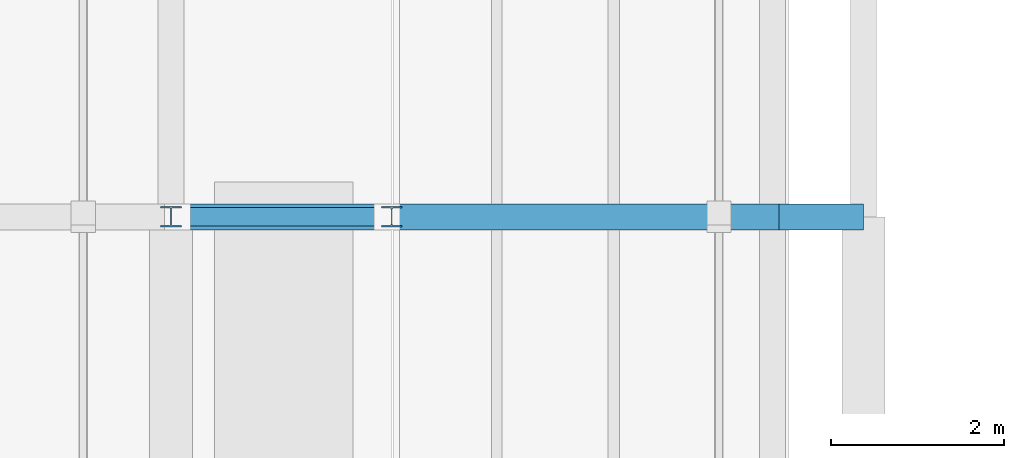
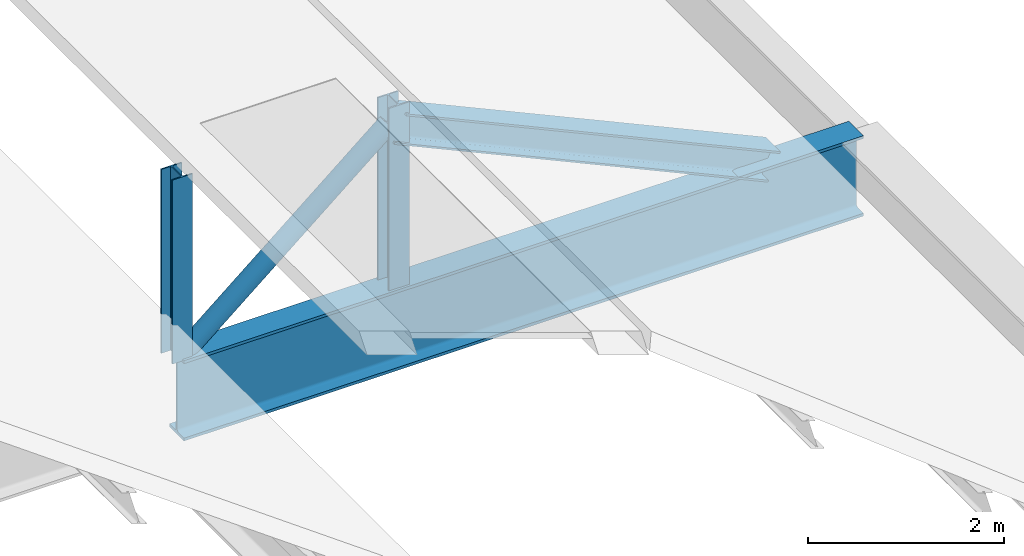
# One storey, part 7 of 14: 4 members, 1 beam.
"""IFC4 building model written with IfcOpenShell, lengths in metres."""

from ifc_helpers import new_model, si_unit, direction, frame, origin, origin_2d, place, context, subcontext, project, spatial, hollow_circle, i_section, extrude, material, material_profile, profile_set, type_object, element, save


model = new_model("IFC4")

# Units and contexts
model_context = context("Model", 3, precision=1e-05, world=origin(), true_north=direction((0.0, 1.0)))
body_context = subcontext(model_context, "Body", "Model", "MODEL_VIEW")
ifc_project = project(units=[si_unit("LENGTHUNIT", "METRE"), si_unit("AREAUNIT", "SQUARE_METRE"), si_unit("VOLUMEUNIT", "CUBIC_METRE"), si_unit("PLANEANGLEUNIT", "RADIAN"), si_unit("MASSUNIT", "GRAM", prefix="KILO")], contexts=[model_context])

# Site, building, storey
site_placement = place(None, origin())
site = spatial("IfcSite", under=ifc_project, at=site_placement, CompositionType="ELEMENT")
building_placement = place(site_placement, origin())
building = spatial("IfcBuilding", under=site, at=building_placement, Name="Vekula Escarpment Museum", CompositionType="ELEMENT")
storey_placement = place(building_placement, frame((0.0, 0.0, 30.60009765625)))
storey = spatial("IfcBuildingStorey", under=building, at=storey_placement, Name="RF", CompositionType="ELEMENT", Elevation=30.60009765625)

# Beam
ifc_material_1 = material(Name="Steel S355", Category="steel")
ifc_material_profile_1 = material_profile(ifc_material_1, i_section(OverallWidth=0.300048828125, OverallDepth=1.0, WebThickness=0.01904296875, FlangeThickness=0.035888671875, FilletRadius=0.030029296875, at=origin_2d()), Name="HEB 1000")
ifc_profile_set_1 = profile_set([ifc_material_profile_1], Name="Steel S355")
beam_type = type_object("IfcBeamType", Name="BM-TRUSS-CHORD-BOT", PredefinedType="BEAM", material=ifc_profile_set_1)
beam_placement = place(storey_placement, frame((118.0, 76.39990234375, -2.75), z_axis=(1.0, 0.0, 0.0), x_axis=(0.0, 1.0, 0.0)))
element("IfcBeam", 1, at=beam_placement, inside=storey, type_object=beam_type, Name="Roof Tie Girder RF 2450", PredefinedType="BEAM", context=body_context, shape_type="SweptSolid", body=[
    extrude(i_section(OverallWidth=0.300048828125, OverallDepth=1.0, WebThickness=0.01904296875, FlangeThickness=0.035888671875, FilletRadius=0.030029296875, at=origin_2d()), origin(), (0.0, 0.0, 1.0), 8.0),
])

# Members
ifc_material_2 = material(Name="Steel S355", Category="steel")
ifc_material_profile_2 = material_profile(ifc_material_2, i_section(OverallWidth=0.300048828125, OverallDepth=0.360107421875, WebThickness=0.012451171875, FlangeThickness=0.0224609375, FilletRadius=0.027099609375, at=origin_2d()), Name="HEB 360")
ifc_profile_set_2 = profile_set([ifc_material_profile_2], Name="Steel S355")
member_type_1 = type_object("IfcMemberType", Name="MB-SAW-CHORD", PredefinedType="CHORD", material=ifc_profile_set_2)
member_1_placement = place(storey_placement, frame((120.550048828125, 76.39990234375, -0.260009765625), z_axis=(0.909581861474, 0.0, -0.415524773361), x_axis=(0.0, 1.0, 0.0)))
element("IfcMember", 2, at=member_1_placement, inside=storey, type_object=member_type_1, Name="Sawtooth Rafter 081", PredefinedType="CHORD", context=body_context, shape_type="SweptSolid", body=[
    extrude(i_section(OverallWidth=0.300048828125, OverallDepth=0.360107421875, WebThickness=0.012451171875, FlangeThickness=0.0224609375, FilletRadius=0.027099609375, at=origin_2d()), origin(), (0.0, 0.0, 1.0), 4.837158203125),
])
ifc_material_3 = material(Name="Steel S355", Category="steel")
ifc_material_profile_3 = material_profile(ifc_material_3, hollow_circle(Radius=0.109619140625, WallThickness=0.010009765625, at=origin_2d()), Name="CHS 219.1x10")
ifc_profile_set_3 = profile_set([ifc_material_profile_3], Name="Steel S355")
member_type_2 = type_object("IfcMemberType", Name="MB-SAW-DIAG", PredefinedType="BRACE", material=ifc_profile_set_3)
member_2_placement = place(storey_placement, frame((118.080078125, 76.39990234375, -2.27001953125), z_axis=(0.767947002011, 0.0, 0.64051338948), x_axis=(0.0, 1.0, 0.0)))
element("IfcMember", 3, at=member_2_placement, inside=storey, type_object=member_type_2, Name="Sawtooth Roof Truss Diagonal 081", PredefinedType="BRACE", context=body_context, shape_type="SweptSolid", body=[
    extrude(hollow_circle(Radius=0.109619140625, WallThickness=0.010009765625, at=origin_2d()), origin(), (0.0, 0.0, 1.0), 3.13818359375),
])
ifc_material_4 = material(Name="Steel S355", Category="steel")
ifc_material_profile_4 = material_profile(ifc_material_4, i_section(OverallWidth=0.239990234375, OverallDepth=0.239990234375, WebThickness=0.010009765625, FlangeThickness=0.01708984375, FilletRadius=0.02099609375, at=origin_2d()), Name="HEB 240")
ifc_profile_set_4 = profile_set([ifc_material_profile_4], Name="Steel S355")
member_type_3 = type_object("IfcMemberType", Name="MB-SAW-POST", PredefinedType="STRUT", material=ifc_profile_set_4)
for number, where, z_axis, x_axis, name in (
    (4, (118.0, 76.39990234375, -2.27001953125), (0.0, 0.0, 1.0), (1.0, 0.0, 0.0), "Sawtooth North Post 081"),
    (5, (120.550048828125, 76.39990234375, -2.27001953125), (0.0, 0.0, 1.0), (1.0, 0.0, 0.0), "Sawtooth Monitor Post 081"),
):
    element("IfcMember", number, at=place(storey_placement, frame(where, z_axis=z_axis, x_axis=x_axis)), inside=storey, type_object=member_type_3, Name=name, PredefinedType="STRUT", context=body_context, shape_type="SweptSolid", body=[
        extrude(i_section(OverallWidth=0.239990234375, OverallDepth=0.239990234375, WebThickness=0.010009765625, FlangeThickness=0.01708984375, FilletRadius=0.02099609375, at=origin_2d()), origin(), (0.0, 0.0, 1.0), 2.2900390625),
    ])

save(model, "model.ifc")
